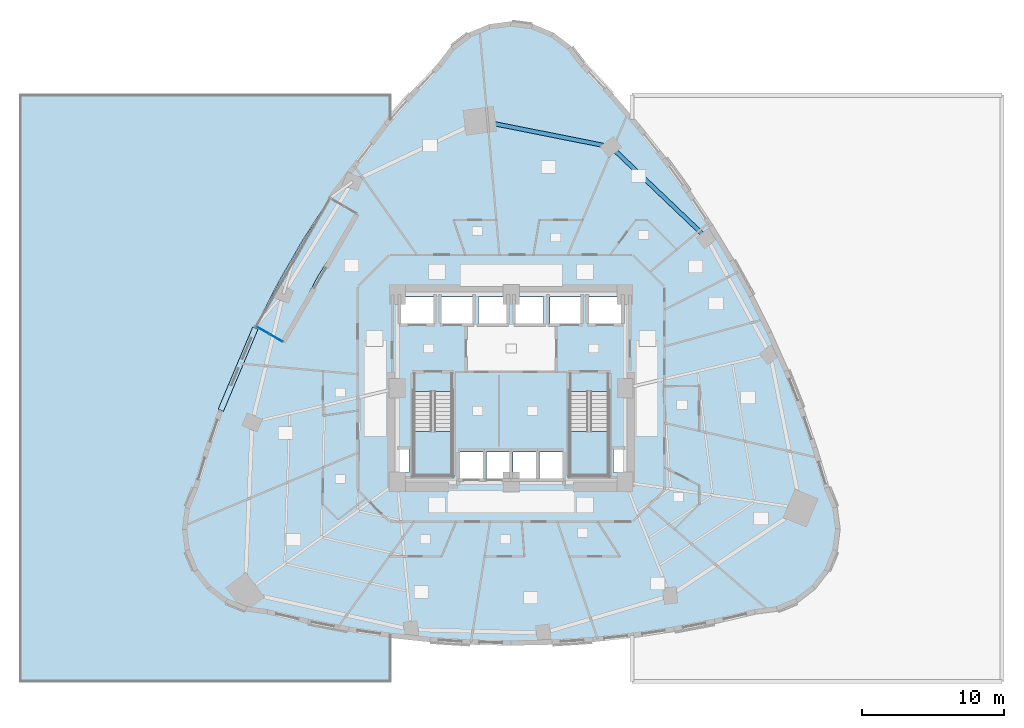
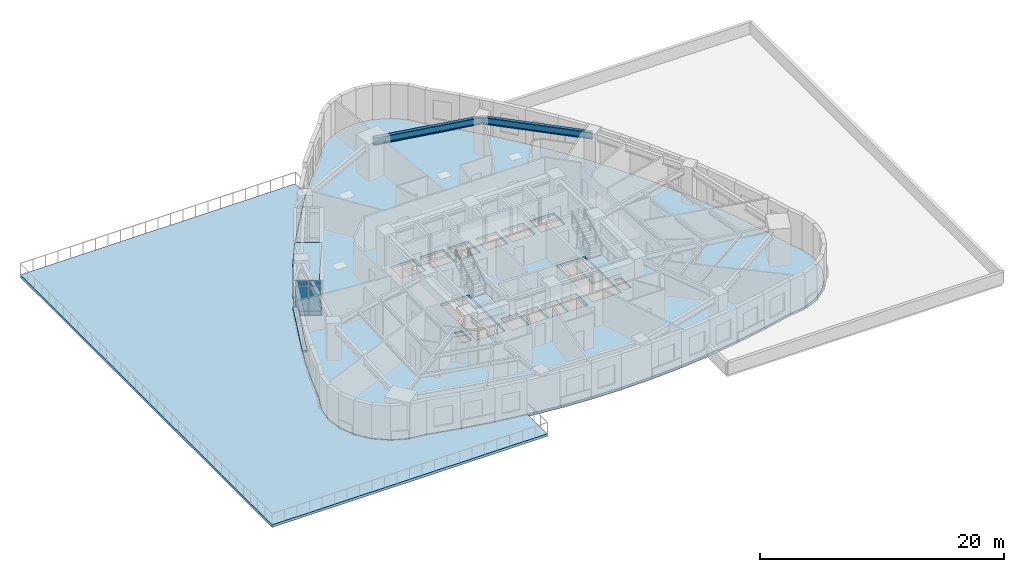
# One storey, part 6 of 15: 7 plates, 5 slabs, 2 beams, 3 elements without a shape of their own.
"""IFC4 building model written with IfcOpenShell, lengths in metres."""

from ifc_helpers import new_model, si_unit, direction, frame, origin, origin_2d, place, context, subcontext, project, spatial, polyline, rectangle, i_section, outline, extrude, material, layer, layer_set, material_profile, profile_set, type_object, element, aggregate, save


model = new_model("IFC4")

# Units and contexts
model_context = context("Model", 3, precision=1e-05, world=origin(), true_north=direction((0.0, 1.0)))
body_context = subcontext(model_context, "Body", "Model", "MODEL_VIEW")
ifc_project = project(units=[si_unit("LENGTHUNIT", "METRE"), si_unit("AREAUNIT", "SQUARE_METRE"), si_unit("VOLUMEUNIT", "CUBIC_METRE"), si_unit("PLANEANGLEUNIT", "RADIAN"), si_unit("MASSUNIT", "GRAM", prefix="KILO")], contexts=[model_context])

# Site, building, storey
site_placement = place(None, origin())
site = spatial("IfcSite", under=ifc_project, at=site_placement, CompositionType="ELEMENT")
building_placement = place(site_placement, origin())
building = spatial("IfcBuilding", under=site, at=building_placement, Name="Ndelora Gate Hotel", CompositionType="ELEMENT")
storey_placement = place(building_placement, frame((0.0, 0.0, 30.5)))
storey = spatial("IfcBuildingStorey", under=building, at=storey_placement, Name="L06", CompositionType="ELEMENT", Elevation=30.5)

# Beams
ifc_material_1 = material(Name="Steel S355", Category="steel")
ifc_material_profile = material_profile(ifc_material_1, i_section(OverallWidth=0.300048828125, OverallDepth=0.699951171875, WebThickness=0.01708984375, FlangeThickness=0.031982421875, FilletRadius=0.027099609375, at=origin_2d()), Name="HEB 700")
ifc_profile_set = profile_set([ifc_material_profile], Name="Steel S355")
beam_type = type_object("IfcBeamType", Name="BM-RING-700", PredefinedType="SPANDREL", material=ifc_profile_set)
beam_1_placement = place(storey_placement, frame((13.75390625, 10.5537109375, 3.14990234375), z_axis=(-0.723784227769, 0.690026370244, 0.0), x_axis=(-0.690026370244, -0.723784227769, 0.0)))
element("IfcBeam", 1, at=beam_1_placement, inside=storey, type_object=beam_type, Name="L06 Perimeter Spandrel Girder 11", PredefinedType="SPANDREL", context=body_context, shape_type="SweptSolid", body=[
    extrude(i_section(OverallWidth=0.300048828125, OverallDepth=0.699951171875, WebThickness=0.01708984375, FlangeThickness=0.031982421875, FilletRadius=0.027099609375, at=origin_2d()), origin(), (0.0, 0.0, 1.0), 9.293212890625),
])
beam_2_placement = place(storey_placement, frame((7.027587890625, 16.96630859375, 3.14990234375), z_axis=(-0.980820478164, 0.194913287424, 0.0), x_axis=(-0.194913287424, -0.980820478164, 0.0)))
element("IfcBeam", 2, at=beam_2_placement, inside=storey, type_object=beam_type, Name="L06 Perimeter Spandrel Girder 12", PredefinedType="SPANDREL", context=body_context, shape_type="SweptSolid", body=[
    extrude(i_section(OverallWidth=0.300048828125, OverallDepth=0.699951171875, WebThickness=0.01708984375, FlangeThickness=0.031982421875, FilletRadius=0.027099609375, at=origin_2d()), origin(), (0.0, 0.0, 1.0), 9.407958984375),
])

# Curtain wall, plates
ifc_material_2 = material(Name="Bronze Anodised Unitised Aluminium and Low-E Glass", Category="aluminium")
ifc_layer_1 = layer(ifc_material_2, 0.199951171875)
ifc_layer_set_1 = layer_set([ifc_layer_1], Name="Bronze Anodised Unitised Aluminium and Low-E Glass")
curtain_wall_type = type_object("IfcCurtainWallType", Name="CW-SYS-3", PredefinedType="NOTDEFINED", material=ifc_layer_set_1)
curtain_wall_placement = place(storey_placement, origin())
curtain_wall = element("IfcCurtainWall", 3, at=curtain_wall_placement, inside=storey, type_object=curtain_wall_type, Name="L06 Sky-Garden Loggia Side Curtain Wall CW3-2", PredefinedType="NOTDEFINED")
ifc_material_3 = material(Name="Solar-Control Low-E Insulated Glazing", Category="glass")
ifc_layer_2 = layer(ifc_material_3, 0.048095703125)
ifc_layer_set_2 = layer_set([ifc_layer_2], Name="Solar-Control Low-E Insulated Glazing")
plate_type_1 = type_object("IfcPlateType", Name="PL-CW-GLZ36", PredefinedType="CURTAIN_PANEL", material=ifc_layer_set_2)
plate_1_placement = place(storey_placement, frame((-17.439697265625, 4.064453125, 0.05908203125), z_axis=(0.0, 0.0, 1.0), x_axis=(0.866030416344, -0.499991317892, 0.0)))
plate_1 = element("IfcPlate", 4, at=plate_1_placement, type_object=plate_type_1, Name="CW3 panel 1.1", PredefinedType="CURTAIN_PANEL", context=body_context, shape_type="SweptSolid", body=[
    extrude(rectangle(XDim=1.014404296875, YDim=0.048095703125, at=origin_2d()), origin(), (0.0, 0.0, 1.0), 0.364501953125),
])
plate_2_placement = place(storey_placement, frame((-17.439697265625, 4.064453125, 0.4765625), z_axis=(0.0, 0.0, 1.0), x_axis=(0.866030416344, -0.499991317892, 0.0)))
plate_2 = element("IfcPlate", 5, at=plate_2_placement, type_object=plate_type_1, Name="CW3 panel 1.2", PredefinedType="CURTAIN_PANEL", context=body_context, shape_type="SweptSolid", body=[
    extrude(rectangle(XDim=1.014404296875, YDim=0.048095703125, at=origin_2d()), origin(), (0.0, 0.0, 1.0), 2.447021484375),
])
plate_3_placement = place(storey_placement, frame((-17.439697265625, 4.064453125, 2.9765625), z_axis=(0.0, 0.0, 1.0), x_axis=(0.866030416344, -0.499991317892, 0.0)))
plate_3 = element("IfcPlate", 6, at=plate_3_placement, type_object=plate_type_1, Name="CW3 panel 1.3", PredefinedType="CURTAIN_PANEL", context=body_context, shape_type="SweptSolid", body=[
    extrude(rectangle(XDim=1.014404296875, YDim=0.048095703125, at=origin_2d()), origin(), (0.0, 0.0, 1.0), 0.464599609375),
])
plate_4_placement = place(storey_placement, frame((-16.515380859375, 3.53076171875, 0.05908203125), z_axis=(0.0, 0.0, 1.0), x_axis=(0.866030416344, -0.499991317892, 0.0)))
plate_4 = element("IfcPlate", 7, at=plate_4_placement, type_object=plate_type_1, Name="CW3 panel 2.1", PredefinedType="CURTAIN_PANEL", context=body_context, shape_type="SweptSolid", body=[
    extrude(rectangle(XDim=1.014404296875, YDim=0.048095703125, at=origin_2d()), origin(), (0.0, 0.0, 1.0), 0.364501953125),
])
plate_5_placement = place(storey_placement, frame((-16.515380859375, 3.53076171875, 0.4765625), z_axis=(0.0, 0.0, 1.0), x_axis=(0.866030416344, -0.499991317892, 0.0)))
plate_5 = element("IfcPlate", 8, at=plate_5_placement, type_object=plate_type_1, Name="CW3 panel 2.2", PredefinedType="CURTAIN_PANEL", context=body_context, shape_type="SweptSolid", body=[
    extrude(rectangle(XDim=1.014404296875, YDim=0.048095703125, at=origin_2d()), origin(), (0.0, 0.0, 1.0), 2.447021484375),
])
plate_6_placement = place(storey_placement, frame((-16.515380859375, 3.53076171875, 2.9765625), z_axis=(0.0, 0.0, 1.0), x_axis=(0.866030416344, -0.499991317892, 0.0)))
plate_6 = element("IfcPlate", 9, at=plate_6_placement, type_object=plate_type_1, Name="CW3 panel 2.3", PredefinedType="CURTAIN_PANEL", context=body_context, shape_type="SweptSolid", body=[
    extrude(rectangle(XDim=1.014404296875, YDim=0.048095703125, at=origin_2d()), origin(), (0.0, 0.0, 1.0), 0.464599609375),
])
aggregate(curtain_wall, [plate_1, plate_2, plate_3, plate_4, plate_5, plate_6])

# Plate
ifc_material_4 = material(Name="Precast concrete C40/50", Category="concrete")
ifc_layer_3 = layer(ifc_material_4, 0.125)
ifc_layer_set_3 = layer_set([ifc_layer_3], Name="Precast concrete C40/50")
plate_type_2 = type_object("IfcPlateType", Name="PL-SILL-120", PredefinedType="USERDEFINED", material=ifc_layer_set_3)
plate_7_placement = place(storey_placement, frame((-19.193359375, 1.344482421875, 0.78759765625), z_axis=(0.0, 0.0, 1.0), x_axis=(0.387676476022, 0.921795503319, 0.0)))
element("IfcPlate", 10, at=plate_7_placement, inside=storey, type_object=plate_type_2, Name="L06 Streamline Precast Ribbon Sill 16", ObjectType="RIBBON_SILL", PredefinedType="USERDEFINED", context=body_context, shape_type="SweptSolid", body=[
    extrude(rectangle(XDim=6.26611328125, YDim=0.39990234375, at=origin_2d()), origin(), (0.0, 0.0, 1.0), 0.125),
])

# Stair, slab
stair_type = type_object("IfcStairType", Name="STR-DOG-CORE", PredefinedType="HALF_TURN_STAIR", material=ifc_material_4)
stair_1_placement = place(storey_placement, origin())
stair_1 = element("IfcStair", 11, at=stair_1_placement, inside=storey, type_object=stair_type, Name="L06 Protected Core Exit Stair ST4", PredefinedType="HALF_TURN_STAIR")
ifc_layer_4 = layer(ifc_material_4, 0.219970703125)
ifc_layer_set_4 = layer_set([ifc_layer_4], Name="Precast concrete C40/50")
slab_type_1 = type_object("IfcSlabType", Name="SL-LAND-220", PredefinedType="LANDING", material=ifc_layer_set_4)
slab_1_placement = place(storey_placement, frame((0.0, 0.0, 1.675048828125)))
slab_1 = element("IfcSlab", 12, at=slab_1_placement, type_object=slab_type_1, Name="ST4 landing 1", PredefinedType="LANDING", context=body_context, shape_type="SweptSolid", body=[
    extrude(outline(polyline([(-6.85009765625, -3.030029296875), (-6.85009765625, -6.14990234375), (-4.1298828125, -6.14990234375), (-4.1298828125, -3.030029296875), (-6.85009765625, -3.030029296875)])), origin(), (0.0, 0.0, 1.0), 0.199951171875),
])
aggregate(stair_1, [slab_1])

stair_2_placement = place(storey_placement, origin())
stair_2 = element("IfcStair", 13, at=stair_2_placement, inside=storey, type_object=stair_type, Name="L06 Protected Core Exit Stair ST5", PredefinedType="HALF_TURN_STAIR")
slab_2_placement = place(storey_placement, frame((0.0, 0.0, 1.675048828125)))
slab_2 = element("IfcSlab", 14, at=slab_2_placement, type_object=slab_type_1, Name="ST5 landing 1", PredefinedType="LANDING", context=body_context, shape_type="SweptSolid", body=[
    extrude(outline(polyline([(4.1298828125, -3.030029296875), (4.1298828125, -6.14990234375), (6.85009765625, -6.14990234375), (6.85009765625, -3.030029296875), (4.1298828125, -3.030029296875)])), origin(), (0.0, 0.0, 1.0), 0.199951171875),
])
aggregate(stair_2, [slab_2])

# Slabs
ifc_layer_5 = layer(ifc_material_4, 0.260009765625)
ifc_layer_set_5 = layer_set([ifc_layer_5], Name="Precast concrete C40/50")
slab_type_2 = type_object("IfcSlabType", Name="SL-POD-TER", PredefinedType="FLOOR", material=ifc_layer_set_5)
slab_3_placement = place(storey_placement, frame((0.0, 0.0, -0.260009765625)))
element("IfcSlab", 15, at=slab_3_placement, inside=storey, type_object=slab_type_2, Name="L06 West Podium Planted Sky Terrace Slab", PredefinedType="FLOOR", context=body_context, shape_type="SweptSolid", body=[
    extrude(outline(polyline([(-8.5, -17.38232421875), (-8.580078125, -17.373779296875), (-11.43994140625, -16.94580078125), (-14.2998046875, -16.3955078125), (-17.15771484375, -15.7236328125), (-18.6630859375, -15.52490234375), (-20.06640625, -14.94287109375), (-21.271240234375, -14.017333984375), (-22.195556640625, -12.8115234375), (-22.7763671875, -11.40771484375), (-22.973876953125, -9.9013671875), (-22.77490234375, -8.39501953125), (-22.196044921875, -6.997314453125), (-21.384521484375, -4.296630859375), (-20.47509765625, -1.65087890625), (-17.947998046875, 4.356689453125), (-16.38623046875, 7.419189453125), (-14.617919921875, 10.482421875), (-12.74609375, 13.3662109375), (-8.806884765625, 18.558349609375), (-8.5, 18.9111328125), (-8.5, 20.60009765625), (-34.5, 20.60009765625), (-34.5, -20.60009765625), (-8.5, -20.60009765625), (-8.5, -17.38232421875)])), origin(), (0.0, 0.0, 1.0), 0.260009765625),
])
ifc_layer_6 = layer(ifc_material_4, 0.239990234375)
ifc_layer_set_6 = layer_set([ifc_layer_6], Name="Precast concrete C40/50")
slab_type_3 = type_object("IfcSlabType", Name="SL-TER-240", PredefinedType="FLOOR", material=ifc_layer_set_6)
slab_4_placement = place(storey_placement, frame((0.0, 0.0, -0.239990234375)))
element("IfcSlab", 16, at=slab_4_placement, inside=storey, type_object=slab_type_3, Name="L06 Sky Garden Loggia Terrace Slab", PredefinedType="FLOOR", context=body_context, shape_type="SweptSolid", body=[
    extrude(outline(polyline([(-10.824951171875, 12.254150390625), (-12.730224609375, 13.354248046875), (-14.60107421875, 10.471435546875), (-16.368896484375, 7.4091796875), (-17.93017578125, 4.34765625), (-16.02490234375, 3.24755859375), (-13.60009765625, 7.85205078125), (-10.824951171875, 12.254150390625)])), origin(), (0.0, 0.0, 1.0), 0.239990234375),
])
ifc_material_5 = material(Name="Concrete C40/50", Category="concrete")
ifc_layer_7 = layer(ifc_material_5, 0.25)
ifc_layer_set_7 = layer_set([ifc_layer_7], Name="Concrete C40/50")
slab_type_4 = type_object("IfcSlabType", Name="SL-TWR-250", PredefinedType="FLOOR", material=ifc_layer_set_7)
slab_5_placement = place(storey_placement, frame((0.0, 0.0, -0.25)))
element("IfcSlab", 17, at=slab_5_placement, inside=storey, type_object=slab_type_4, Name="L06 Structural Floor Slab", PredefinedType="FLOOR", context=body_context, shape_type="SweptSolid", body=[
    extrude(outline(polyline([(5.02294921875, 22.7080078125), (4.101318359375, 23.9091796875), (2.89990234375, 24.830810546875), (1.501220703125, 25.41015625), (0.0, 25.60791015625), (-1.501220703125, 25.41015625), (-2.89990234375, 24.830810546875), (-4.101318359375, 23.9091796875), (-5.02294921875, 22.7080078125), (-6.956298828125, 20.65478515625), (-8.7919921875, 18.54541015625), (-12.730224609375, 13.354248046875), (-10.824951171875, 12.254150390625), (-13.60009765625, 7.85205078125), (-16.02490234375, 3.24755859375), (-17.93017578125, 4.34765625), (-20.456787109375, -1.65869140625), (-21.365478515625, -4.302978515625), (-22.177001953125, -7.00390625), (-22.756591796875, -8.40283203125), (-22.9541015625, -9.90380859375), (-22.756591796875, -11.405029296875), (-22.177001953125, -12.803955078125), (-21.25537109375, -14.005126953125), (-20.05419921875, -14.927001953125), (-18.6552734375, -15.50634765625), (-17.154052734375, -15.703857421875), (-14.295166015625, -16.376220703125), (-11.43603515625, -16.926025390625), (-8.5771484375, -17.35400390625), (-5.718017578125, -17.659423828125), (-2.85888671875, -17.8427734375), (0.0, -17.90380859375), (2.85888671875, -17.8427734375), (5.718017578125, -17.659423828125), (8.5771484375, -17.35400390625), (11.43603515625, -16.926025390625), (14.295166015625, -16.376220703125), (17.154052734375, -15.703857421875), (18.6552734375, -15.50634765625), (20.05419921875, -14.927001953125), (21.25537109375, -14.005126953125), (22.177001953125, -12.803955078125), (22.756591796875, -11.405029296875), (22.9541015625, -9.90380859375), (22.756591796875, -8.40283203125), (22.177001953125, -7.00390625), (21.32958984375, -4.19189453125), (20.37646484375, -1.44091796875), (19.3173828125, 1.2490234375), (18.152587890625, 3.877685546875), (16.8818359375, 6.4453125), (15.50537109375, 8.951904296875), (14.022705078125, 11.3974609375), (12.4345703125, 13.78173828125), (10.740478515625, 16.10498046875), (8.9404296875, 18.366943359375), (7.03466796875, 20.568115234375), (5.02294921875, 22.7080078125)]), holes=[polyline([(-6.85009765625, -0.22998046875), (-6.85009765625, -6.14990234375), (-4.1298828125, -6.14990234375), (-4.1298828125, -0.22998046875), (-6.85009765625, -0.22998046875)]), polyline([(4.1298828125, -0.22998046875), (4.1298828125, -6.14990234375), (6.85009765625, -6.14990234375), (6.85009765625, -0.22998046875), (4.1298828125, -0.22998046875)]), polyline([(-7.72998046875, 4.570068359375), (-5.469970703125, 4.570068359375), (-5.469970703125, 6.429931640625), (-7.72998046875, 6.429931640625), (-7.72998046875, 4.570068359375)]), polyline([(5.469970703125, 4.570068359375), (7.72998046875, 4.570068359375), (7.72998046875, 6.429931640625), (5.469970703125, 6.429931640625), (5.469970703125, 4.570068359375)]), polyline([(-4.8798828125, 4.570068359375), (-2.719970703125, 4.570068359375), (-2.719970703125, 6.429931640625), (-4.8798828125, 6.429931640625), (-4.8798828125, 4.570068359375)]), polyline([(2.719970703125, 4.570068359375), (4.8798828125, 4.570068359375), (4.8798828125, 6.429931640625), (2.719970703125, 6.429931640625), (2.719970703125, 4.570068359375)]), polyline([(-3.60009765625, -6.330078125), (-1.97998046875, -6.330078125), (-1.97998046875, -4.469970703125), (-3.60009765625, -4.469970703125), (-3.60009765625, -6.330078125)]), polyline([(-1.739990234375, -6.330078125), (-0.1201171875, -6.330078125), (-0.1201171875, -4.469970703125), (-1.739990234375, -4.469970703125), (-1.739990234375, -6.330078125)]), polyline([(0.1201171875, -6.330078125), (1.739990234375, -6.330078125), (1.739990234375, -4.469970703125), (0.1201171875, -4.469970703125), (0.1201171875, -6.330078125)]), polyline([(1.97998046875, -6.330078125), (3.60009765625, -6.330078125), (3.60009765625, -4.469970703125), (1.97998046875, -4.469970703125), (1.97998046875, -6.330078125)]), polyline([(-2.280029296875, 4.570068359375), (-0.320068359375, 4.570068359375), (-0.320068359375, 6.429931640625), (-2.280029296875, 6.429931640625), (-2.280029296875, 4.570068359375)]), polyline([(0.320068359375, 4.570068359375), (2.280029296875, 4.570068359375), (2.280029296875, 6.429931640625), (0.320068359375, 6.429931640625), (0.320068359375, 4.570068359375)]), polyline([(-7.89990234375, -5.919921875), (-7.179931640625, -5.919921875), (-7.179931640625, -4.320068359375), (-7.89990234375, -4.320068359375), (-7.89990234375, -5.919921875)]), polyline([(7.179931640625, -5.919921875), (7.89990234375, -5.919921875), (7.89990234375, -4.320068359375), (7.179931640625, -4.320068359375), (7.179931640625, -5.919921875)])]), origin(), (0.0, 0.0, 1.0), 0.25),
])

save(model, "model.ifc")
